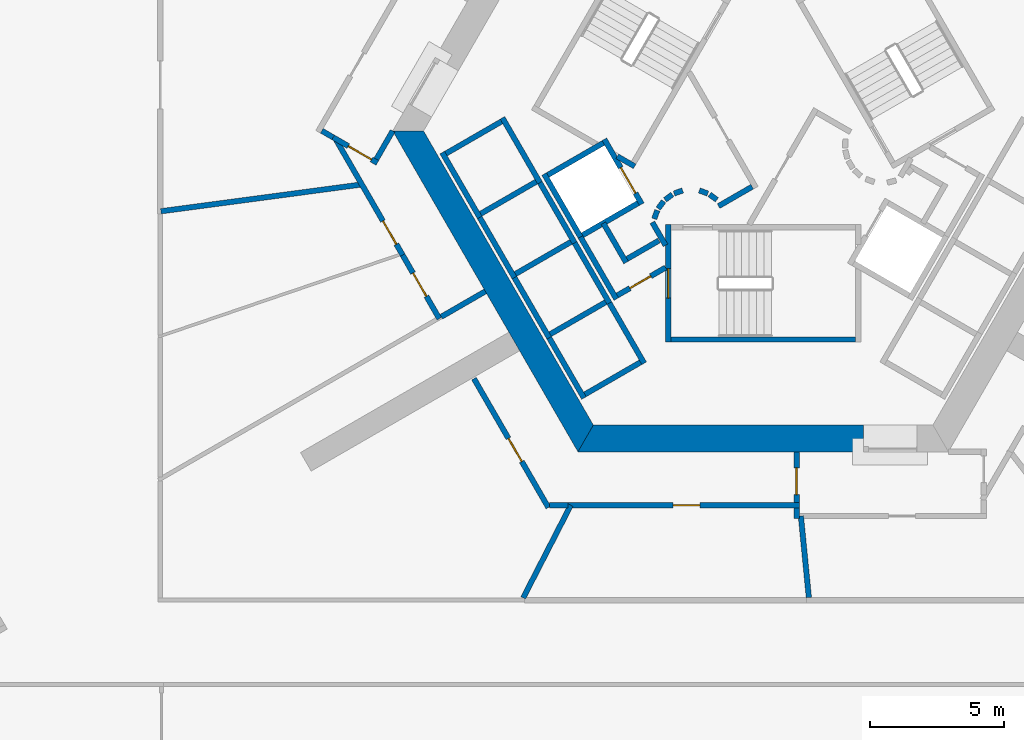
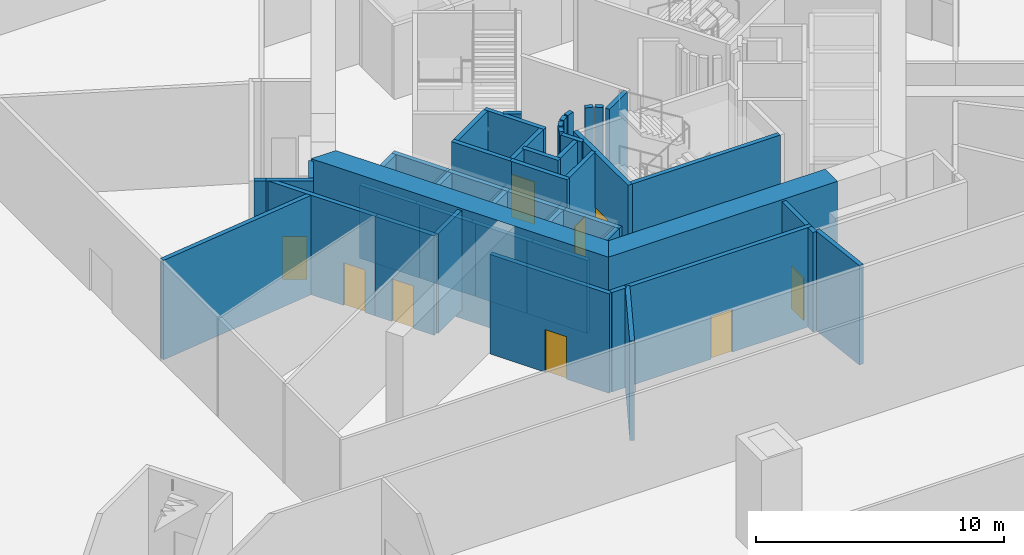
# One storey, part 6 of 20: 48 walls, 9 doors, 9 openings.
"""IFC4 building model written with IfcOpenShell, lengths in metres."""

from ifc_helpers import new_model, si_unit, direction, frame, frame_2d, origin, place, context, subcontext, project, spatial, polyline, rectangle, outline, extrude, material, layer, layer_set, type_object, element, fill, save


model = new_model("IFC4")

# Units and contexts
model_context = context("Model", 3, precision=1e-05, world=origin(), true_north=direction((0.0, 1.0)))
body_context = subcontext(model_context, "Body", "Model", "MODEL_VIEW")
ifc_project = project(units=[si_unit("LENGTHUNIT", "METRE"), si_unit("AREAUNIT", "SQUARE_METRE"), si_unit("VOLUMEUNIT", "CUBIC_METRE"), si_unit("PLANEANGLEUNIT", "RADIAN"), si_unit("MASSUNIT", "GRAM", prefix="KILO")], contexts=[model_context])

# Site, building, storey
site_placement = place(None, origin())
site = spatial("IfcSite", under=ifc_project, at=site_placement, CompositionType="ELEMENT")
building_placement = place(site_placement, origin())
building = spatial("IfcBuilding", under=site, at=building_placement, Name="Entoto Arch Interchange Tower", CompositionType="ELEMENT")
storey_placement = place(building_placement, frame((0.0, 0.0, -5.5)))
storey = spatial("IfcBuildingStorey", under=building, at=storey_placement, Name="B1", CompositionType="ELEMENT", Elevation=-5.5)

# Walls
ifc_material_1 = material(Name="Concrete C60/75", Category="concrete")
ifc_layer_1 = layer(ifc_material_1, 1.0)
ifc_layer_set_1 = layer_set([ifc_layer_1], Name="Concrete C60/75")
wall_type_1 = type_object("IfcWallType", Name="Core wall 1000 C60/75", PredefinedType="SHEAR", material=ifc_layer_set_1)
wall_1_placement = place(storey_placement, frame((0.0, 0.0, -0.419921875)))
element("IfcWall", 1, at=wall_1_placement, inside=storey, type_object=wall_type_1, Name="Core wall SW B1", PredefinedType="SHEAR", context=body_context, shape_type="SweptSolid", body=[
    extrude(outline(polyline([(-13.85595703125, 2.5), (-6.927978515625, -9.5), (-6.35107421875, -8.5), (-12.701904296875, 2.5), (-13.85595703125, 2.5)])), origin(), (0.0, 0.0, 1.0), 5.419921875),
])
wall_2_placement = place(storey_placement, frame((0.0, 0.0, -0.419921875)))
element("IfcWall", 2, at=wall_2_placement, inside=storey, type_object=wall_type_1, Name="Core wall S B1", PredefinedType="SHEAR", context=body_context, shape_type="SweptSolid", body=[
    extrude(outline(polyline([(3.75, -9.5), (3.75, -8.5), (-6.35107421875, -8.5), (-6.927978515625, -9.5), (3.75, -9.5)])), origin(), (0.0, 0.0, 1.0), 5.419921875),
])

# Wall, opening, door
ifc_material_2 = material(Name="Concrete C40/50", Category="concrete")
ifc_layer_2 = layer(ifc_material_2, 0.199951171875)
ifc_layer_set_2 = layer_set([ifc_layer_2], Name="Concrete C40/50")
wall_type_2 = type_object("IfcWallType", Name="LIFT SHAFT WALL 200", PredefinedType="STANDARD", material=ifc_layer_set_2)
wall_3_placement = place(storey_placement, frame((-5.93994140625, 2.18798828125, 0.0), z_axis=(0.0, 0.0, 1.0), x_axis=(0.49994636267, -0.866056369097, 0.0)))
wall_3 = element("IfcWall", 3, at=wall_3_placement, inside=storey, type_object=wall_type_2, Name="Shaft wall SW1 front", PredefinedType="STANDARD", context=body_context, shape_type="SweptSolid", body=[
    extrude(rectangle(XDim=2.800048828125, YDim=0.199951171875, at=frame_2d((1.39990234375, 0.0))), origin(), (0.0, 0.0, 1.0), 4.89990234375),
])
opening_1_placement = place(wall_3_placement, frame((1.22509765625, 0.0, 0.0)))
opening_1 = element("IfcOpeningElement", 4, at=opening_1_placement, cuts=wall_3, Name="Opening LD-FF2-B1", PredefinedType="OPENING", context=body_context, shape_type="SweptSolid", body=[
    extrude(rectangle(XDim=1.10009765625, YDim=2.10009765625, at=frame_2d((0.550048828125, 1.050048828125))), frame((0.0, 0.10986328125, 0.0), z_axis=(0.0, -1.0, 0.0), x_axis=(1.0, 0.0, 0.0)), (0.0, 0.0, 1.0), 0.219970703125),
])
ifc_material_3 = material(Name="Stainless steel 1.4301 panels", Category="steel")
door_type_1 = type_object("IfcDoorType", Name="LIFT LANDING DOOR LD1 1100x2100", OperationType="SLIDING_TO_LEFT", PredefinedType="DOOR", material=ifc_material_3)
door_1_placement = place(opening_1_placement, origin())
door_1 = element("IfcDoor", 5, at=door_1_placement, inside=storey, type_object=door_type_1, Name="Lift landing door FF2 B1", OperationType="SLIDING_TO_LEFT", OverallHeight=2.10009765625, OverallWidth=1.10009765625, PredefinedType="DOOR", context=body_context, shape_type="SweptSolid", body=[
    extrude(rectangle(XDim=1.10009765625, YDim=2.10009765625, at=frame_2d((0.550048828125, 1.050048828125))), frame((0.0, 0.02490234375, 0.0), z_axis=(0.0, -1.0, 0.0), x_axis=(1.0, 0.0, 0.0)), (0.0, 0.0, 1.0), 0.050048828125),
])
fill(opening_1, door_1)

# Walls
wall_4_placement = place(storey_placement, frame((-8.19189453125, 0.887939453125, 0.0), z_axis=(0.0, 0.0, 1.0), x_axis=(0.49994636267, -0.866056369097, 0.0)))
element("IfcWall", 6, at=wall_4_placement, inside=storey, type_object=wall_type_2, Name="Shaft wall SW1 back", PredefinedType="STANDARD", context=body_context, shape_type="SweptSolid", body=[
    extrude(rectangle(XDim=2.800048828125, YDim=0.199951171875, at=frame_2d((1.39990234375, 0.0))), origin(), (0.0, 0.0, 1.0), 4.89990234375),
])
for number, where, z_axis, x_axis, name in (
    (7, (-5.97705078125, 2.052001953125, 0.0), (0.0, 0.0, 1.0), (-0.865973769406, -0.500089422704, 0.0), "Shaft wall SW1 cross 1"),
    (8, (-4.677001953125, -0.199951171875, 0.0), (0.0, 0.0, 1.0), (-0.865973769406, -0.500089422704, 0.0), "Shaft wall SW1 cross 2"),
):
    element("IfcWall", number, at=place(storey_placement, frame(where, z_axis=z_axis, x_axis=x_axis)), inside=storey, type_object=wall_type_2, Name=name, PredefinedType="STANDARD", context=body_context, shape_type="SweptSolid", body=[
        extrude(rectangle(XDim=2.3994140625, YDim=0.199951171875, at=frame_2d((1.19970703125, 0.0))), origin(), (0.0, 0.0, 1.0), 4.89990234375),
    ])
for number, where, z_axis, x_axis, name in (
    (9, (-9.7509765625, 2.989990234375, 0.0), (0.0, 0.0, 1.0), (0.49994636267, -0.866056369097, 0.0), "Pit wall SH1 1"),
    (10, (-12.0029296875, 1.68994140625, 0.0), (0.0, 0.0, 1.0), (0.49994636267, -0.866056369097, 0.0), "Pit wall SH1 2"),
):
    element("IfcWall", number, at=place(storey_placement, frame(where, z_axis=z_axis, x_axis=x_axis)), inside=storey, type_object=wall_type_2, Name=name, PredefinedType="STANDARD", context=body_context, shape_type="SweptSolid", body=[
        extrude(rectangle(XDim=2.800048828125, YDim=0.199951171875, at=frame_2d((1.39990234375, 0.0))), origin(), (0.0, 0.0, 1.0), 3.60009765625),
    ])
for number, where, z_axis, x_axis, name in (
    (11, (-9.7880859375, 2.85302734375, 0.0), (0.0, 0.0, 1.0), (-0.865973769406, -0.500089422704, 0.0), "Pit wall SH1 3"),
    (12, (-8.488037109375, 0.60205078125, 0.0), (0.0, 0.0, 1.0), (-0.865973769406, -0.500089422704, 0.0), "Pit wall SH1 4"),
):
    element("IfcWall", number, at=place(storey_placement, frame(where, z_axis=z_axis, x_axis=x_axis)), inside=storey, type_object=wall_type_2, Name=name, PredefinedType="STANDARD", context=body_context, shape_type="SweptSolid", body=[
        extrude(rectangle(XDim=2.3994140625, YDim=0.199951171875, at=frame_2d((1.19970703125, 0.0))), origin(), (0.0, 0.0, 1.0), 3.60009765625),
    ])
for number, where, z_axis, x_axis, name in (
    (13, (-8.450927734375, 0.738037109375, 0.0), (0.0, 0.0, 1.0), (0.49994636267, -0.866056369097, 0.0), "Pit wall SH2 1"),
    (14, (-10.702880859375, -0.56201171875, 0.0), (0.0, 0.0, 1.0), (0.49994636267, -0.866056369097, 0.0), "Pit wall SH2 2"),
):
    element("IfcWall", number, at=place(storey_placement, frame(where, z_axis=z_axis, x_axis=x_axis)), inside=storey, type_object=wall_type_2, Name=name, PredefinedType="STANDARD", context=body_context, shape_type="SweptSolid", body=[
        extrude(rectangle(XDim=2.800048828125, YDim=0.199951171875, at=frame_2d((1.39990234375, 0.0))), origin(), (0.0, 0.0, 1.0), 3.60009765625),
    ])
wall_5_placement = place(storey_placement, frame((-7.18798828125, -1.64990234375, 0.0), z_axis=(0.0, 0.0, 1.0), x_axis=(-0.865955154139, -0.50012165622, 0.0)))
element("IfcWall", 15, at=wall_5_placement, inside=storey, type_object=wall_type_2, Name="Pit wall SH2 4", PredefinedType="STANDARD", context=body_context, shape_type="SweptSolid", body=[
    extrude(rectangle(XDim=2.39990234375, YDim=0.199951171875, at=frame_2d((1.199951171875, 0.0))), origin(), (0.0, 0.0, 1.0), 3.60009765625),
])
wall_6_placement = place(storey_placement, frame((-7.15087890625, -1.512939453125, 0.0), z_axis=(0.0, 0.0, 1.0), x_axis=(0.49994636267, -0.866056369097, 0.0)))
element("IfcWall", 16, at=wall_6_placement, inside=storey, type_object=wall_type_2, Name="Pit wall SH3 1", PredefinedType="STANDARD", context=body_context, shape_type="SweptSolid", body=[
    extrude(rectangle(XDim=2.800048828125, YDim=0.199951171875, at=frame_2d((1.39990234375, 0.0))), origin(), (0.0, 0.0, 1.0), 3.60009765625),
])
wall_7_placement = place(storey_placement, frame((-9.403076171875, -2.81298828125, 0.0), z_axis=(0.0, 0.0, 1.0), x_axis=(0.500011755427, -0.866018616679, 0.0)))
element("IfcWall", 17, at=wall_7_placement, inside=storey, type_object=wall_type_2, Name="Pit wall SH3 2", PredefinedType="STANDARD", context=body_context, shape_type="SweptSolid", body=[
    extrude(rectangle(XDim=2.80029296875, YDim=0.199951171875, at=frame_2d((1.400146484375, 0.0))), origin(), (0.0, 0.0, 1.0), 3.60009765625),
])
wall_8_placement = place(storey_placement, frame((-5.887939453125, -3.902099609375, 0.0), z_axis=(0.0, 0.0, 1.0), x_axis=(-0.865999212041, -0.500045362686, 0.0)))
element("IfcWall", 18, at=wall_8_placement, inside=storey, type_object=wall_type_2, Name="Pit wall SH3 4", PredefinedType="STANDARD", context=body_context, shape_type="SweptSolid", body=[
    extrude(rectangle(XDim=2.399658203125, YDim=0.199951171875, at=frame_2d((1.19970703125, 0.0))), origin(), (0.0, 0.0, 1.0), 3.60009765625),
])
for number, where, z_axis, x_axis, name in (
    (19, (-5.85107421875, -3.764892578125, 0.0), (0.0, 0.0, 1.0), (0.500011755427, -0.866018616679, 0.0), "Pit wall SH4 1"),
    (20, (-8.10302734375, -5.06494140625, 0.0), (0.0, 0.0, 1.0), (0.500011755427, -0.866018616679, 0.0), "Pit wall SH4 2"),
):
    element("IfcWall", number, at=place(storey_placement, frame(where, z_axis=z_axis, x_axis=x_axis)), inside=storey, type_object=wall_type_2, Name=name, PredefinedType="STANDARD", context=body_context, shape_type="SweptSolid", body=[
        extrude(rectangle(XDim=2.80029296875, YDim=0.199951171875, at=frame_2d((1.400146484375, 0.0))), origin(), (0.0, 0.0, 1.0), 3.60009765625),
    ])
wall_9_placement = place(storey_placement, frame((-4.587890625, -6.153076171875, 0.0), z_axis=(0.0, 0.0, 1.0), x_axis=(-0.865999212041, -0.500045362686, 0.0)))
element("IfcWall", 21, at=wall_9_placement, inside=storey, type_object=wall_type_2, Name="Pit wall SH4 4", PredefinedType="STANDARD", context=body_context, shape_type="SweptSolid", body=[
    extrude(rectangle(XDim=2.399658203125, YDim=0.199951171875, at=frame_2d((1.19970703125, 0.0))), origin(), (0.0, 0.0, 1.0), 3.60009765625),
])

# Wall, opening, door
ifc_material_4 = material(Name="Gypsum board partition on steel studs", Category="steel")
ifc_layer_3 = layer(ifc_material_4, 0.199951171875)
ifc_layer_set_3 = layer_set([ifc_layer_3], Name="Gypsum board partition on steel studs")
wall_type_3 = type_object("IfcWallType", Name="PARTITION 200", PredefinedType="PARTITIONING", material=ifc_layer_set_3)
wall_10_placement = place(storey_placement, frame((1.25, -11.39990234375, 0.0), z_axis=(0.0, 0.0, 1.0), x_axis=(0.0, 1.0, 0.0)))
wall_10 = element("IfcWall", 22, at=wall_10_placement, inside=storey, type_object=wall_type_3, Name="wall:B1:p001", PredefinedType="PARTITIONING", context=body_context, shape_type="SweptSolid", body=[
    extrude(rectangle(XDim=1.89990234375, YDim=0.199951171875, at=frame_2d((0.949951171875, 0.0))), origin(), (0.0, 0.0, 1.0), 4.89990234375),
])
opening_2_placement = place(wall_10_placement, frame((0.300048828125, 0.0, 0.0)))
opening_2 = element("IfcOpeningElement", 23, at=opening_2_placement, cuts=wall_10, Name="Opening B1-D01", PredefinedType="OPENING", context=body_context, shape_type="SweptSolid", body=[
    extrude(rectangle(XDim=1.0, YDim=2.10009765625, at=frame_2d((0.5, 1.050048828125))), frame((0.0, 0.10986328125, 0.0), z_axis=(0.0, -1.0, 0.0), x_axis=(1.0, 0.0, 0.0)), (0.0, 0.0, 1.0), 0.219970703125),
])
ifc_material_5 = material(Name="Fire-rated Steel S235 door and frame", Category="steel")
door_type_2 = type_object("IfcDoorType", Name="DOOR FD-10 1000x2100", OperationType="SINGLE_SWING_LEFT", PredefinedType="DOOR", material=ifc_material_5)
door_2_placement = place(opening_2_placement, origin())
door_2 = element("IfcDoor", 24, at=door_2_placement, inside=storey, type_object=door_type_2, Name="door:B1:01", OperationType="SINGLE_SWING_LEFT", OverallHeight=2.10009765625, OverallWidth=1.0, PredefinedType="DOOR", context=body_context, shape_type="SweptSolid", body=[
    extrude(rectangle(XDim=1.0, YDim=2.10009765625, at=frame_2d((0.5, 1.050048828125))), frame((0.0, 0.02490234375, 0.0), z_axis=(0.0, -1.0, 0.0), x_axis=(1.0, 0.0, 0.0)), (0.0, 0.0, 1.0), 0.050048828125),
])
fill(opening_2, door_2)

# Walls
wall_11_placement = place(storey_placement, frame((1.25, -12.0, 0.0), z_axis=(0.0, 0.0, 1.0), x_axis=(0.0, 1.0, 0.0)))
element("IfcWall", 25, at=wall_11_placement, inside=storey, type_object=wall_type_3, Name="wall:B1:p006", PredefinedType="PARTITIONING", context=body_context, shape_type="SweptSolid", body=[
    extrude(rectangle(XDim=0.39990234375, YDim=0.199951171875, at=frame_2d((0.199951171875, 0.0))), origin(), (0.0, 0.0, 1.0), 4.89990234375),
])
wall_12_placement = place(storey_placement, frame((-7.2958984375, -11.5, 0.0), z_axis=(0.0, 0.0, 1.0), x_axis=(-1.0, 0.0, 0.0)))
element("IfcWall", 26, at=wall_12_placement, inside=storey, type_object=wall_type_3, Name="wall:B1:p007", PredefinedType="PARTITIONING", context=body_context, shape_type="SweptSolid", body=[
    extrude(rectangle(XDim=0.68701171875, YDim=0.199951171875, at=frame_2d((0.343505859375, 0.0))), origin(), (0.0, 0.0, 1.0), 4.89990234375),
])

# Wall, opening, door
wall_13_placement = place(storey_placement, frame((-8.032958984375, -11.5869140625, 0.0), z_axis=(0.0, 0.0, 1.0), x_axis=(-0.499991937534, 0.866030058601, 0.0)))
wall_13 = element("IfcWall", 27, at=wall_13_placement, inside=storey, type_object=wall_type_3, Name="wall:B1:p008", PredefinedType="PARTITIONING", context=body_context, shape_type="SweptSolid", body=[
    extrude(rectangle(XDim=5.56787109375, YDim=0.199951171875, at=frame_2d((2.783935546875, 0.0))), origin(), (0.0, 0.0, 1.0), 4.89990234375),
])
opening_3_placement = place(wall_13_placement, frame((1.988037109375, 0.0, 0.0)))
opening_3 = element("IfcOpeningElement", 28, at=opening_3_placement, cuts=wall_13, Name="Opening B1-D04", PredefinedType="OPENING", context=body_context, shape_type="SweptSolid", body=[
    extrude(rectangle(XDim=1.0, YDim=2.10009765625, at=frame_2d((0.5, 1.050048828125))), frame((0.0, 0.10986328125, 0.0), z_axis=(0.0, -1.0, 0.0), x_axis=(1.0, 0.0, 0.0)), (0.0, 0.0, 1.0), 0.219970703125),
])
ifc_material_6 = material(Name="Timber door leaf in Steel S235 frame", Category="steel")
door_type_3 = type_object("IfcDoorType", Name="DOOR DS-10 1000x2100", OperationType="SINGLE_SWING_LEFT", PredefinedType="DOOR", material=ifc_material_6)
door_3_placement = place(opening_3_placement, origin())
door_3 = element("IfcDoor", 29, at=door_3_placement, inside=storey, type_object=door_type_3, Name="door:B1:04", OperationType="SINGLE_SWING_RIGHT", OverallHeight=2.10009765625, OverallWidth=1.0, PredefinedType="DOOR", context=body_context, shape_type="SweptSolid", body=[
    extrude(rectangle(XDim=1.0, YDim=2.10009765625, at=frame_2d((0.5, 1.050048828125))), frame((0.0, 0.02490234375, 0.0), z_axis=(0.0, -1.0, 0.0), x_axis=(1.0, 0.0, 0.0)), (0.0, 0.0, 1.0), 0.050048828125),
])
fill(opening_3, door_3)

wall_14_placement = place(storey_placement, frame((1.35009765625, -11.5, 0.0), z_axis=(0.0, 0.0, 1.0), x_axis=(-1.0, 0.0, 0.0)))
wall_14 = element("IfcWall", 30, at=wall_14_placement, inside=storey, type_object=wall_type_3, Name="wall:B1:p009", PredefinedType="PARTITIONING", context=body_context, shape_type="SweptSolid", body=[
    extrude(rectangle(XDim=8.64599609375, YDim=0.199951171875, at=frame_2d((4.322998046875, 0.0))), origin(), (0.0, 0.0, 1.0), 4.89990234375),
])
opening_4_placement = place(wall_14_placement, frame((3.718017578125, 0.0, 0.0)))
opening_4 = element("IfcOpeningElement", 31, at=opening_4_placement, cuts=wall_14, Name="Opening B1-D05", PredefinedType="OPENING", context=body_context, shape_type="SweptSolid", body=[
    extrude(rectangle(XDim=1.0, YDim=2.10009765625, at=frame_2d((0.5, 1.050048828125))), frame((0.0, 0.10986328125, 0.0), z_axis=(0.0, -1.0, 0.0), x_axis=(1.0, 0.0, 0.0)), (0.0, 0.0, 1.0), 0.219970703125),
])
door_4_placement = place(opening_4_placement, origin())
door_4 = element("IfcDoor", 32, at=door_4_placement, inside=storey, type_object=door_type_3, Name="door:B1:05", OperationType="SINGLE_SWING_LEFT", OverallHeight=2.10009765625, OverallWidth=1.0, PredefinedType="DOOR", context=body_context, shape_type="SweptSolid", body=[
    extrude(rectangle(XDim=1.0, YDim=2.10009765625, at=frame_2d((0.5, 1.050048828125))), frame((0.0, 0.02490234375, 0.0), z_axis=(0.0, -1.0, 0.0), x_axis=(1.0, 0.0, 0.0)), (0.0, 0.0, 1.0), 0.050048828125),
])
fill(opening_4, door_4)

# Walls
wall_15_placement = place(storey_placement, frame((1.708984375, -14.949951171875, 0.0), z_axis=(0.0, 0.0, 1.0), x_axis=(-0.097271264249, 0.995257906852, 0.0)))
element("IfcWall", 33, at=wall_15_placement, inside=storey, type_object=wall_type_3, Name="wall:B1:p012", PredefinedType="PARTITIONING", context=body_context, shape_type="SweptSolid", body=[
    extrude(rectangle(XDim=3.064697265625, YDim=0.199951171875, at=frame_2d((1.5322265625, 0.0))), origin(), (0.0, 0.0, 1.0), 4.89990234375),
])
wall_16_placement = place(storey_placement, frame((-7.196044921875, -11.5, 0.0), z_axis=(0.0, 0.0, 1.0), x_axis=(-0.456975104855, -0.889479484611, 0.0)))
element("IfcWall", 34, at=wall_16_placement, inside=storey, type_object=wall_type_3, Name="wall:B1:p015", PredefinedType="PARTITIONING", context=body_context, shape_type="SweptSolid", body=[
    extrude(rectangle(XDim=3.890869140625, YDim=0.199951171875, at=frame_2d((1.9453125, 0.0))), origin(), (0.0, 0.0, 1.0), 4.89990234375),
])
wall_17_placement = place(storey_placement, frame((-12.037109375, -4.449951171875, 0.0), z_axis=(0.0, 0.0, 1.0), x_axis=(0.865980106173, 0.500078449558, 0.0)))
element("IfcWall", 35, at=wall_17_placement, inside=storey, type_object=wall_type_3, Name="wall:B1:p018", PredefinedType="PARTITIONING", context=body_context, shape_type="SweptSolid", body=[
    extrude(rectangle(XDim=1.899658203125, YDim=0.199951171875, at=frame_2d((0.94970703125, 0.0))), origin(), (0.0, 0.0, 1.0), 4.89990234375),
])
wall_18_placement = place(storey_placement, frame((-13.85595703125, 2.5, 0.0), z_axis=(0.0, 0.0, 1.0), x_axis=(-0.500114474492, -0.865959301817, 0.0)))
element("IfcWall", 36, at=wall_18_placement, inside=storey, type_object=wall_type_3, Name="wall:B1:p105", PredefinedType="PARTITIONING", context=body_context, shape_type="SweptSolid", body=[
    extrude(rectangle(XDim=1.221923828125, YDim=0.199951171875, at=frame_2d((0.61083984375, 0.0))), origin(), (0.0, 0.0, 1.0), 4.89990234375),
])

# Wall, opening, door
wall_19_placement = place(storey_placement, frame((-14.429931640625, 1.304931640625, 0.0), z_axis=(0.0, 0.0, 1.0), x_axis=(-0.866000389056, 0.500043324278, 0.0)))
wall_19 = element("IfcWall", 37, at=wall_19_placement, inside=storey, type_object=wall_type_3, Name="wall:B1:p106", PredefinedType="PARTITIONING", context=body_context, shape_type="SweptSolid", body=[
    extrude(rectangle(XDim=1.909912109375, YDim=0.199951171875, at=frame_2d((0.955078125, 0.0))), origin(), (0.0, 0.0, 1.0), 4.89990234375),
])
opening_5_placement = place(wall_19_placement, frame((0.25390625, 0.0, 0.0)))
opening_5 = element("IfcOpeningElement", 38, at=opening_5_placement, cuts=wall_19, Name="Opening B1-D14", PredefinedType="OPENING", context=body_context, shape_type="SweptSolid", body=[
    extrude(rectangle(XDim=1.0, YDim=2.10009765625, at=frame_2d((0.5, 1.050048828125))), frame((0.0, 0.10986328125, 0.0), z_axis=(0.0, -1.0, 0.0), x_axis=(1.0, 0.0, 0.0)), (0.0, 0.0, 1.0), 0.219970703125),
])
door_5_placement = place(opening_5_placement, origin())
door_5 = element("IfcDoor", 39, at=door_5_placement, inside=storey, type_object=door_type_2, Name="door:B1:14", OperationType="SINGLE_SWING_RIGHT", OverallHeight=2.10009765625, OverallWidth=1.0, PredefinedType="DOOR", context=body_context, shape_type="SweptSolid", body=[
    extrude(rectangle(XDim=1.0, YDim=2.10009765625, at=frame_2d((0.5, 1.050048828125))), frame((0.0, 0.02490234375, 0.0), z_axis=(0.0, -1.0, 0.0), x_axis=(1.0, 0.0, 0.0)), (0.0, 0.0, 1.0), 0.050048828125),
])
fill(opening_5, door_5)

# Wall
wall_20_placement = place(storey_placement, frame((-16.508056640625, 2.5048828125, 0.0), z_axis=(0.0, 0.0, 1.0), x_axis=(0.865494662716, -0.500918145819, 0.0)))
element("IfcWall", 40, at=wall_20_placement, inside=storey, type_object=wall_type_3, Name="wall:B1:p108", PredefinedType="PARTITIONING", context=body_context, shape_type="SweptSolid", body=[
    extrude(rectangle(XDim=0.48876953125, YDim=0.199951171875, at=frame_2d((0.244384765625, 0.0))), origin(), (0.0, 0.0, 1.0), 4.89990234375),
])

# Wall, opening, door
wall_21_placement = place(storey_placement, frame((-13.485107421875, -2.14208984375, 0.0), z_axis=(0.0, 0.0, 1.0), x_axis=(-0.500042049778, 0.866001124973, 0.0)))
wall_21 = element("IfcWall", 41, at=wall_21_placement, inside=storey, type_object=wall_type_3, Name="wall:B1:p112", PredefinedType="PARTITIONING", context=body_context, shape_type="SweptSolid", body=[
    extrude(rectangle(XDim=5.025390625, YDim=0.199951171875, at=frame_2d((2.5126953125, 0.0))), origin(), (0.0, 0.0, 1.0), 4.89990234375),
])
opening_6_placement = place(wall_21_placement, frame((0.469970703125, 0.0, 0.0)))
opening_6 = element("IfcOpeningElement", 42, at=opening_6_placement, cuts=wall_21, Name="Opening B1-D17", PredefinedType="OPENING", context=body_context, shape_type="SweptSolid", body=[
    extrude(rectangle(XDim=1.0, YDim=2.10009765625, at=frame_2d((0.5, 1.050048828125))), frame((0.0, 0.10986328125, 0.0), z_axis=(0.0, -1.0, 0.0), x_axis=(1.0, 0.0, 0.0)), (0.0, 0.0, 1.0), 0.219970703125),
])
door_6_placement = place(opening_6_placement, origin())
door_6 = element("IfcDoor", 43, at=door_6_placement, inside=storey, type_object=door_type_3, Name="door:B1:17", OperationType="SINGLE_SWING_LEFT", OverallHeight=2.10009765625, OverallWidth=1.0, PredefinedType="DOOR", context=body_context, shape_type="SweptSolid", body=[
    extrude(rectangle(XDim=1.0, YDim=2.10009765625, at=frame_2d((0.5, 1.050048828125))), frame((0.0, 0.02490234375, 0.0), z_axis=(0.0, -1.0, 0.0), x_axis=(1.0, 0.0, 0.0)), (0.0, 0.0, 1.0), 0.050048828125),
])
fill(opening_6, door_6)

wall_22_placement = place(storey_placement, frame((-12.111083984375, -4.52197265625, 0.0), z_axis=(0.0, 0.0, 1.0), x_axis=(-0.499999305434, 0.866025804792, 0.0)))
wall_22 = element("IfcWall", 44, at=wall_22_placement, inside=storey, type_object=wall_type_3, Name="wall:B1:p113", PredefinedType="PARTITIONING", context=body_context, shape_type="SweptSolid", body=[
    extrude(rectangle(XDim=2.748046875, YDim=0.199951171875, at=frame_2d((1.3740234375, 0.0))), origin(), (0.0, 0.0, 1.0), 4.89990234375),
])
opening_7_placement = place(wall_22_placement, frame((0.968017578125, 0.0, 0.0)))
opening_7 = element("IfcOpeningElement", 45, at=opening_7_placement, cuts=wall_22, Name="Opening B1-D18", PredefinedType="OPENING", context=body_context, shape_type="SweptSolid", body=[
    extrude(rectangle(XDim=1.0, YDim=2.10009765625, at=frame_2d((0.5, 1.050048828125))), frame((0.0, 0.10986328125, 0.0), z_axis=(0.0, -1.0, 0.0), x_axis=(1.0, 0.0, 0.0)), (0.0, 0.0, 1.0), 0.219970703125),
])
door_7_placement = place(opening_7_placement, origin())
door_7 = element("IfcDoor", 46, at=door_7_placement, inside=storey, type_object=door_type_3, Name="door:B1:18", OperationType="SINGLE_SWING_RIGHT", OverallHeight=2.10009765625, OverallWidth=1.0, PredefinedType="DOOR", context=body_context, shape_type="SweptSolid", body=[
    extrude(rectangle(XDim=1.0, YDim=2.10009765625, at=frame_2d((0.5, 1.050048828125))), frame((0.0, 0.02490234375, 0.0), z_axis=(0.0, -1.0, 0.0), x_axis=(1.0, 0.0, 0.0)), (0.0, 0.0, 1.0), 0.050048828125),
])
fill(opening_7, door_7)

# Walls
wall_23_placement = place(storey_placement, frame((-15.010009765625, 0.498046875, 0.0), z_axis=(0.0, 0.0, 1.0), x_axis=(-0.991211581173, -0.132286058785, 0.0)))
element("IfcWall", 47, at=wall_23_placement, inside=storey, type_object=wall_type_3, Name="wall:B1:p115", PredefinedType="PARTITIONING", context=body_context, shape_type="SweptSolid", body=[
    extrude(rectangle(XDim=7.58154296875, YDim=0.199951171875, at=frame_2d((3.790771484375, 0.0))), origin(), (0.0, 0.0, 1.0), 4.89990234375),
])
wall_24_placement = place(storey_placement, frame((-3.89990234375, -1.59912109375, 0.0), z_axis=(0.0, 0.0, 1.0), x_axis=(-0.865969445389, -0.500096910261, 0.0)))
element("IfcWall", 48, at=wall_24_placement, inside=storey, type_object=wall_type_3, Name="wall:B1:p137", PredefinedType="PARTITIONING", context=body_context, shape_type="SweptSolid", body=[
    extrude(rectangle(XDim=1.373291015625, YDim=0.199951171875, at=frame_2d((0.6865234375, 0.0))), origin(), (0.0, 0.0, 1.0), 4.89990234375),
])
wall_25_placement = place(storey_placement, frame((-5.1259765625, -2.422119140625, 0.0), z_axis=(0.0, 0.0, 1.0), x_axis=(-0.500062241894, 0.865989465428, 0.0)))
element("IfcWall", 49, at=wall_25_placement, inside=storey, type_object=wall_type_3, Name="wall:B1:p138", PredefinedType="PARTITIONING", context=body_context, shape_type="SweptSolid", body=[
    extrude(rectangle(XDim=1.699951171875, YDim=0.199951171875, at=frame_2d((0.85009765625, 0.0))), origin(), (0.0, 0.0, 1.0), 4.89990234375),
])
wall_26_placement = place(storey_placement, frame((-5.491943359375, -3.7880859375, 0.0), z_axis=(0.0, 0.0, 1.0), x_axis=(-0.500008949224, 0.866020236886, 0.0)))
element("IfcWall", 50, at=wall_26_placement, inside=storey, type_object=wall_type_3, Name="wall:B1:p139", PredefinedType="PARTITIONING", context=body_context, shape_type="SweptSolid", body=[
    extrude(rectangle(XDim=2.68017578125, YDim=0.199951171875, at=frame_2d((1.340087890625, 0.0))), origin(), (0.0, 0.0, 1.0), 4.89990234375),
])
wall_27_placement = place(storey_placement, frame((-4.14501953125, -0.919921875, 0.0), z_axis=(0.0, 0.0, 1.0), x_axis=(0.499743786207, -0.866173278362, 0.0)))
element("IfcWall", 51, at=wall_27_placement, inside=storey, type_object=wall_type_3, Name="wall:B1:p140", PredefinedType="PARTITIONING", context=body_context, shape_type="SweptSolid", body=[
    extrude(rectangle(XDim=0.99072265625, YDim=0.199951171875, at=frame_2d((0.495361328125, 0.0))), origin(), (0.0, 0.0, 1.0), 4.89990234375),
])

# Wall, opening, door
wall_28_placement = place(storey_placement, frame((-3.64990234375, -2.610107421875, 0.0), z_axis=(0.0, 0.0, 1.0), x_axis=(-0.866072462134, -0.499918483688, 0.0)))
wall_28 = element("IfcWall", 52, at=wall_28_placement, inside=storey, type_object=wall_type_3, Name="wall:B1:p141", PredefinedType="PARTITIONING", context=body_context, shape_type="SweptSolid", body=[
    extrude(rectangle(XDim=2.084228515625, YDim=0.199951171875, at=frame_2d((1.0419921875, 0.0))), origin(), (0.0, 0.0, 1.0), 4.89990234375),
])
opening_8_placement = place(wall_28_placement, frame((0.64208984375, 0.0, 0.0)))
opening_8 = element("IfcOpeningElement", 53, at=opening_8_placement, cuts=wall_28, Name="Opening B1-D45", PredefinedType="OPENING", context=body_context, shape_type="SweptSolid", body=[
    extrude(rectangle(XDim=0.89990234375, YDim=2.10009765625, at=frame_2d((0.449951171875, 1.050048828125))), frame((0.0, 0.10986328125, 0.0), z_axis=(0.0, -1.0, 0.0), x_axis=(1.0, 0.0, 0.0)), (0.0, 0.0, 1.0), 0.219970703125),
])
door_type_4 = type_object("IfcDoorType", Name="DOOR DS-09 900x2100", OperationType="SINGLE_SWING_LEFT", PredefinedType="DOOR", material=ifc_material_6)
door_8_placement = place(opening_8_placement, origin())
door_8 = element("IfcDoor", 54, at=door_8_placement, inside=storey, type_object=door_type_4, Name="door:B1:45", OperationType="SINGLE_SWING_LEFT", OverallHeight=2.10009765625, OverallWidth=0.89990234375, PredefinedType="DOOR", context=body_context, shape_type="SweptSolid", body=[
    extrude(rectangle(XDim=0.89990234375, YDim=2.10009765625, at=frame_2d((0.449951171875, 1.050048828125))), frame((0.0, 0.02490234375, 0.0), z_axis=(0.0, -1.0, 0.0), x_axis=(1.0, 0.0, 0.0)), (0.0, 0.0, 1.0), 0.050048828125),
])
fill(opening_8, door_8)

# Walls
wall_29_placement = place(storey_placement, frame((-0.412109375, 0.4140625, 0.0), z_axis=(0.0, 0.0, 1.0), x_axis=(-0.866017369001, -0.500013916395, 0.0)))
element("IfcWall", 55, at=wall_29_placement, inside=storey, type_object=wall_type_3, Name="wall:B1:p150", PredefinedType="PARTITIONING", context=body_context, shape_type="SweptSolid", body=[
    extrude(rectangle(XDim=1.4501953125, YDim=0.199951171875, at=frame_2d((0.72509765625, 0.0))), origin(), (0.0, 0.0, 1.0), 4.89990234375),
])
wall_30_placement = place(storey_placement, frame((-1.73095703125, -0.076904296875, 0.0), z_axis=(0.0, 0.0, 1.0), x_axis=(-0.804311165252, 0.594208338422, 0.0)))
element("IfcWall", 56, at=wall_30_placement, inside=storey, type_object=wall_type_3, Name="wall:B1:p151", PredefinedType="PARTITIONING", context=body_context, shape_type="SweptSolid", body=[
    extrude(rectangle(XDim=0.338134765625, YDim=0.199951171875, at=frame_2d((0.1689453125, 0.0))), origin(), (0.0, 0.0, 1.0), 4.89990234375),
])
wall_31_placement = place(storey_placement, frame((-2.070068359375, 0.159912109375, 0.0), z_axis=(0.0, 0.0, 1.0), x_axis=(-0.942199461132, 0.335052496547, 0.0)))
element("IfcWall", 57, at=wall_31_placement, inside=storey, type_object=wall_type_3, Name="wall:B1:p152", PredefinedType="PARTITIONING", context=body_context, shape_type="SweptSolid", body=[
    extrude(rectangle(XDim=0.33740234375, YDim=0.199951171875, at=frame_2d((0.168701171875, 0.0))), origin(), (0.0, 0.0, 1.0), 4.89990234375),
])
wall_32_placement = place(storey_placement, frame((-3.011962890625, 0.27294921875, 0.0), z_axis=(0.0, 0.0, 1.0), x_axis=(-0.942280615813, -0.334824194261, 0.0)))
element("IfcWall", 58, at=wall_32_placement, inside=storey, type_object=wall_type_3, Name="wall:B1:p153", PredefinedType="PARTITIONING", context=body_context, shape_type="SweptSolid", body=[
    extrude(rectangle(XDim=0.337646484375, YDim=0.199951171875, at=frame_2d((0.1689453125, 0.0))), origin(), (0.0, 0.0, 1.0), 4.89990234375),
])
wall_33_placement = place(storey_placement, frame((-3.39697265625, 0.1240234375, 0.0), z_axis=(0.0, 0.0, 1.0), x_axis=(-0.804311165252, -0.594208338422, 0.0)))
element("IfcWall", 59, at=wall_33_placement, inside=storey, type_object=wall_type_3, Name="wall:B1:p154", PredefinedType="PARTITIONING", context=body_context, shape_type="SweptSolid", body=[
    extrude(rectangle(XDim=0.338134765625, YDim=0.199951171875, at=frame_2d((0.1689453125, 0.0))), origin(), (0.0, 0.0, 1.0), 4.89990234375),
])
wall_34_placement = place(storey_placement, frame((-3.722900390625, -0.131103515625, 0.0), z_axis=(0.0, 0.0, 1.0), x_axis=(-0.594675113454, -0.803966112121, 0.0)))
element("IfcWall", 60, at=wall_34_placement, inside=storey, type_object=wall_type_3, Name="wall:B1:p155", PredefinedType="PARTITIONING", context=body_context, shape_type="SweptSolid", body=[
    extrude(rectangle(XDim=0.33837890625, YDim=0.199951171875, at=frame_2d((0.169189453125, 0.0))), origin(), (0.0, 0.0, 1.0), 4.89990234375),
])
wall_35_placement = place(storey_placement, frame((-3.9599609375, -0.469970703125, 0.0), z_axis=(0.0, 0.0, 1.0), x_axis=(-0.334824194261, -0.942280615813, 0.0)))
element("IfcWall", 61, at=wall_35_placement, inside=storey, type_object=wall_type_3, Name="wall:B1:p156", PredefinedType="PARTITIONING", context=body_context, shape_type="SweptSolid", body=[
    extrude(rectangle(XDim=0.337646484375, YDim=0.199951171875, at=frame_2d((0.1689453125, 0.0))), origin(), (0.0, 0.0, 1.0), 4.89990234375),
])

# Wall, opening, door
ifc_layer_4 = layer(ifc_material_2, 0.199951171875)
ifc_layer_set_4 = layer_set([ifc_layer_4], Name="Concrete C40/50")
wall_type_4 = type_object("IfcWallType", Name="STAIR ENCLOSURE WALL 200", PredefinedType="STANDARD", material=ifc_layer_set_4)
wall_36_placement = place(storey_placement, frame((-3.550048828125, -1.0, 0.0), z_axis=(0.0, 0.0, 1.0), x_axis=(0.0, -1.0, 0.0)))
wall_36 = element("IfcWall", 62, at=wall_36_placement, inside=storey, type_object=wall_type_4, Name="Stair wall ST-S near", PredefinedType="STANDARD", context=body_context, shape_type="SweptSolid", body=[
    extrude(rectangle(XDim=4.39990234375, YDim=0.199951171875, at=frame_2d((2.199951171875, 0.0))), origin(), (0.0, 0.0, 1.0), 4.89990234375),
])
opening_9_placement = place(wall_36_placement, frame((1.64990234375, 0.0, 0.0)))
opening_9 = element("IfcOpeningElement", 63, at=opening_9_placement, cuts=wall_36, Name="Opening SD-ST-S-B1-E", PredefinedType="OPENING", context=body_context, shape_type="SweptSolid", body=[
    extrude(rectangle(XDim=1.10009765625, YDim=2.199951171875, at=frame_2d((0.550048828125, 1.10009765625))), frame((0.0, 0.10986328125, 0.0), z_axis=(0.0, -1.0, 0.0), x_axis=(1.0, 0.0, 0.0)), (0.0, 0.0, 1.0), 0.219970703125),
])
ifc_material_7 = material(Name="Steel S235", Category="steel")
door_type_5 = type_object("IfcDoorType", Name="STAIR DOOR SD1 1100x2200", OperationType="SINGLE_SWING_LEFT", PredefinedType="DOOR", material=ifc_material_7)
door_9_placement = place(opening_9_placement, origin())
door_9 = element("IfcDoor", 64, at=door_9_placement, inside=storey, type_object=door_type_5, Name="Stair door ST-S B1 end", OperationType="SINGLE_SWING_LEFT", OverallHeight=2.199951171875, OverallWidth=1.10009765625, PredefinedType="DOOR", context=body_context, shape_type="SweptSolid", body=[
    extrude(rectangle(XDim=1.10009765625, YDim=2.199951171875, at=frame_2d((0.550048828125, 1.10009765625))), frame((0.0, 0.02490234375, 0.0), z_axis=(0.0, -1.0, 0.0), x_axis=(1.0, 0.0, 0.0)), (0.0, 0.0, 1.0), 0.050048828125),
])
fill(opening_9, door_9)

# Walls
wall_37_placement = place(storey_placement, frame((-3.449951171875, -5.300048828125, 0.0), z_axis=(0.0, 0.0, 1.0), x_axis=(1.0, 0.0, 0.0)))
element("IfcWall", 65, at=wall_37_placement, inside=storey, type_object=wall_type_4, Name="Stair wall ST-S back", PredefinedType="STANDARD", context=body_context, shape_type="SweptSolid", body=[
    extrude(rectangle(XDim=6.89990234375, YDim=0.199951171875, at=frame_2d((3.449951171875, 0.0))), origin(), (0.0, 0.0, 1.0), 4.89990234375),
])
wall_38_placement = place(storey_placement, frame((-4.805908203125, 1.176025390625, 0.0), z_axis=(0.0, 0.0, 1.0), x_axis=(-0.866558586415, 0.499075361355, 0.0)))
element("IfcWall", 66, at=wall_38_placement, inside=storey, type_object=wall_type_4, Name="Stair wall ST-NW far return", PredefinedType="STANDARD", context=body_context, shape_type="SweptSolid", body=[
    extrude(rectangle(XDim=0.75146484375, YDim=0.199951171875, at=frame_2d((0.375732421875, 0.0))), origin(), (0.0, 0.0, 1.0), 4.89990234375),
])

save(model, "model.ifc")
